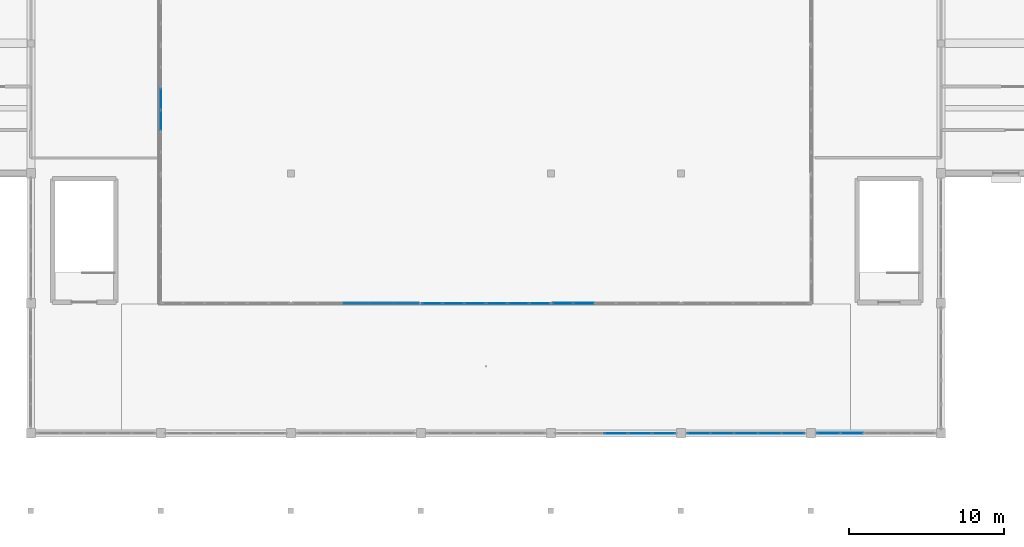
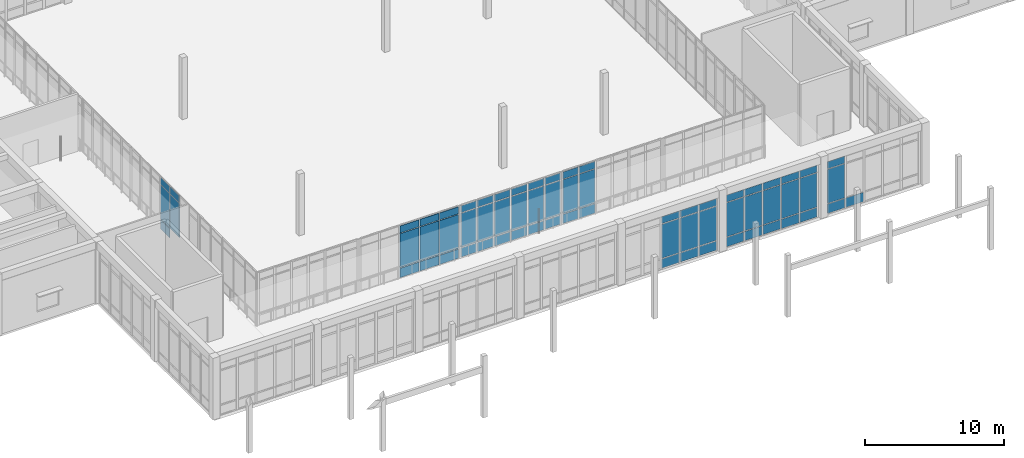
# One storey, part 59 of 157: 66 plates, 7 elements without a shape of their own.
"""IFC4 building model written with IfcOpenShell, lengths in metres."""

import ifcopenshell
import ifcopenshell.guid

model = None  # the IFC model being written
_history = None  # IfcOwnerHistory: only IFC2X3 demands one
_inside = {}  # id of a spatial element -> (the spatial element, [elements in it])
_under = {}  # id of a project, library or spatial element -> (it, [spatial elements below it])
_declared = {}  # id of a project -> (the project, [libraries it declares])
_typed = {}  # id of a type object -> (the type object, [elements of that type])
_made_of = {}  # id of a material, layer set ... -> (it, [elements and type objects made of it])


def new_model(schema):
    """Start an empty IFC model of exactly this schema.

    Asked for "IFC4X3", IfcOpenShell would pick the latest addendum, in which some entities
    have other attributes; the version numbers below select the first issue.
    IFC2X3 requires an IfcOwnerHistory on every rooted entity: one is made here for all.
    """
    global model, _history
    if schema == "IFC4X3":
        model = ifcopenshell.file(schema_version=(4, 3, 0, 0))
    else:
        model = ifcopenshell.file(schema=schema)
    _inside.clear()
    _under.clear()
    _declared.clear()
    _typed.clear()
    _made_of.clear()
    _history = None
    if model.schema == "IFC2X3":
        org = make("IfcOrganization", Name="unknown")
        user = make(
            "IfcPersonAndOrganization",
            ThePerson=make("IfcPerson", FamilyName="unknown"),
            TheOrganization=org,
        )
        app = make(
            "IfcApplication",
            ApplicationDeveloper=org,
            Version="unknown",
            ApplicationFullName="unknown",
            ApplicationIdentifier="unknown",
        )
        _history = make(
            "IfcOwnerHistory",
            OwningUser=user,
            OwningApplication=app,
            ChangeAction="ADDED",
            CreationDate=0,
        )
    return model


def make(cls, **values):
    """One entity of the class cls with the attributes given. An attribute that is None is left unset."""
    return model.create_entity(
        cls, **{name: value for name, value in values.items() if value is not None}
    )


def rooted(cls, **values):
    """An entity with a GlobalId (a new one), such as an element, a storey or a relation."""
    return make(cls, GlobalId=ifcopenshell.guid.new(), OwnerHistory=_history, **values)


def si_unit(unit_type, name, prefix=None):
    """IfcSIUnit, for example si_unit("LENGTHUNIT", "METRE", prefix="MILLI")."""
    return make("IfcSIUnit", UnitType=unit_type, Prefix=prefix, Name=name)


def assignment(units):
    """IfcUnitAssignment: the units of a project."""
    return None if units is None else make("IfcUnitAssignment", Units=units)


def point(xyz):
    """IfcCartesianPoint."""
    return None if xyz is None else make("IfcCartesianPoint", Coordinates=xyz)


def direction(xyz):
    """IfcDirection."""
    return None if xyz is None else make("IfcDirection", DirectionRatios=xyz)


def frame(location, z_axis=None, x_axis=None):
    """IfcAxis2Placement3D, a coordinate frame: its origin and axes. An axis left out is left unset."""
    return make(
        "IfcAxis2Placement3D",
        Location=point(location),
        Axis=direction(z_axis),
        RefDirection=direction(x_axis),
    )


def frame_2d(location, x_axis=None):
    """IfcAxis2Placement2D, a coordinate frame in the plane: its origin and x axis."""
    return make(
        "IfcAxis2Placement2D", Location=point(location), RefDirection=direction(x_axis)
    )


def origin():
    """The frame at (0, 0, 0) with its axes left unset."""
    return frame((0.0, 0.0, 0.0))


def origin_2d():
    """The frame at (0, 0) in the plane with its x axis left unset."""
    return frame_2d((0.0, 0.0))


def place(relative_to, where):
    """IfcLocalPlacement: puts the frame where relative to a parent placement (None: the world)."""
    return make(
        "IfcLocalPlacement", PlacementRelTo=relative_to, RelativePlacement=where
    )


def context(
    kind, dimensions, precision=None, world=None, true_north=None, identifier=None
):
    """IfcGeometricRepresentationContext, for example the 3D "Model" context."""
    return make(
        "IfcGeometricRepresentationContext",
        ContextIdentifier=identifier,
        ContextType=kind,
        CoordinateSpaceDimension=dimensions,
        Precision=precision,
        WorldCoordinateSystem=world,
        TrueNorth=true_north,
    )


def subcontext(parent, identifier, kind, view, scale=None):
    """IfcGeometricRepresentationSubContext, for example "Body" below "Model"."""
    return make(
        "IfcGeometricRepresentationSubContext",
        ContextIdentifier=identifier,
        ContextType=kind,
        ParentContext=parent,
        TargetScale=scale,
        TargetView=view,
    )


def project(units=None, contexts=None):
    """IfcProject with its units and contexts."""
    return rooted(
        "IfcProject",
        Name="project",
        RepresentationContexts=contexts,
        UnitsInContext=assignment(units),
    )


def spatial(cls, under=None, at=None, **own):
    """A site, building, storey or space (cls), placed at a placement, below another one or the project."""
    s = rooted(cls, ObjectPlacement=at, **own)
    if under is not None:
        _under.setdefault(under.id(), (under, []))[1].append(s)
    return s


def profile(cls, at=None, kind="AREA", **sizes):
    """A parametric profile (cls). Its sizes go by their IFC names, for example OverallWidth=200.0."""
    return make(cls, ProfileType=kind, Position=at, **sizes)


def rectangle(**sizes):
    """IfcRectangleProfileDef."""
    return profile("IfcRectangleProfileDef", **sizes)


def extrude(swept, where, along, depth):
    """IfcExtrudedAreaSolid: the profile swept, set in the frame where, extruded along a direction by depth."""
    return make(
        "IfcExtrudedAreaSolid",
        SweptArea=swept,
        Position=where,
        ExtrudedDirection=direction(along),
        Depth=depth,
    )


def shape(context_of_items, identifier, shape_type, items):
    """IfcShapeRepresentation: the items that make up one representation, for example the "Body"."""
    return make(
        "IfcShapeRepresentation",
        ContextOfItems=context_of_items,
        RepresentationIdentifier=identifier,
        RepresentationType=shape_type,
        Items=items,
    )


def material(Name=None, Category=None):
    """IfcMaterial."""
    return make("IfcMaterial", Name=Name, Category=Category)


def layer(
    of_material, thickness, ventilated=None, Name=None, Category=None, Priority=None
):
    """IfcMaterialLayer: one layer of a wall or slab, of a material (None: an air gap)."""
    return make(
        "IfcMaterialLayer",
        Material=of_material,
        LayerThickness=thickness,
        IsVentilated=ventilated,
        Name=Name,
        Category=Category,
        Priority=Priority,
    )


def layer_set(layers, Name=None):
    """IfcMaterialLayerSet."""
    return make("IfcMaterialLayerSet", MaterialLayers=layers, LayerSetName=Name)


def made_of(thing, what):
    """Note that an element or type object is made of a material, layer set ...; save() writes the relation."""
    if what is not None:
        _made_of.setdefault(what.id(), (what, []))[1].append(thing)
    return thing


def type_object(cls, material=None, **own):
    """A type object (cls), such as IfcWallType, which elements share."""
    return made_of(rooted(cls, **own), material)


def element(
    cls,
    number,
    at=None,
    inside=None,
    cuts=None,
    type_object=None,
    material=None,
    context=None,
    identifier="Body",
    shape_type=None,
    held_by="IfcProductDefinitionShape",
    body=None,
    shapes=None,
    **own,
):
    """One element of the class cls, such as IfcWall. Its Tag is "e" and its number.

    at: its placement. inside: the storey or other place that contains it. cuts: it is an
    opening in that element (IfcRelVoidsElement). A single representation is given by context,
    identifier, shape_type and body (its items); several are given by shapes. held_by: the class
    of the entity that holds the representations. save() writes the other relations.
    """
    e = rooted(cls, Tag="e%d" % number, ObjectPlacement=at, **own)
    if body is not None:
        shapes = [shape(context, identifier, shape_type, body)]
    if shapes is not None:
        e.Representation = make(held_by, Representations=shapes)
    if inside is not None:
        _inside.setdefault(inside.id(), (inside, []))[1].append(e)
    if cuts is not None:
        rooted(
            "IfcRelVoidsElement", RelatingBuildingElement=cuts, RelatedOpeningElement=e
        )
    if type_object is not None:
        _typed.setdefault(type_object.id(), (type_object, []))[1].append(e)
    return made_of(e, material)


def aggregate(whole, parts):
    """IfcRelAggregates: a whole, such as a stair, and the parts it consists of."""
    return rooted("IfcRelAggregates", RelatingObject=whole, RelatedObjects=parts)


def save(model, path):
    """Write the relations noted so far, then the file.

    IfcRelAggregates (storeys below a building ...), IfcRelContainedInSpatialStructure (elements
    in a storey), IfcRelDefinesByType, IfcRelAssociatesMaterial and IfcRelDeclares: one each for
    every whole, place, type object, material and project.
    """
    for whole, parts in _under.values():
        aggregate(whole, parts)
    for where, things in _inside.values():
        rooted(
            "IfcRelContainedInSpatialStructure",
            RelatedElements=things,
            RelatingStructure=where,
        )
    for kind, things in _typed.values():
        rooted("IfcRelDefinesByType", RelatedObjects=things, RelatingType=kind)
    for what, things in _made_of.values():
        rooted("IfcRelAssociatesMaterial", RelatedObjects=things, RelatingMaterial=what)
    for by, libraries in _declared.values():
        rooted("IfcRelDeclares", RelatingContext=by, RelatedDefinitions=libraries)
    model.write(path)


model = new_model("IFC4")

# Units and contexts
model_context = context("Model", 3, precision=1e-05, world=origin(), true_north=direction((0.0, 1.0)))
body_context = subcontext(model_context, "Body", "Model", "MODEL_VIEW")
ifc_project = project(units=[si_unit("LENGTHUNIT", "METRE"), si_unit("AREAUNIT", "SQUARE_METRE"), si_unit("VOLUMEUNIT", "CUBIC_METRE"), si_unit("PLANEANGLEUNIT", "RADIAN"), si_unit("MASSUNIT", "GRAM", prefix="KILO")], contexts=[model_context])

# Site, building, storey
site_placement = place(None, origin())
site = spatial("IfcSite", under=ifc_project, at=site_placement, CompositionType="ELEMENT")
building_placement = place(site_placement, origin())
building = spatial("IfcBuilding", under=site, at=building_placement, Name="Varncliffe General Hospital", CompositionType="ELEMENT")
storey_placement = place(building_placement, frame((0.0, 0.0, 5.39990234375)))
storey = spatial("IfcBuildingStorey", under=building, at=storey_placement, Name="L01", CompositionType="ELEMENT", Elevation=5.39990234375)

# Curtain wall, plates
ifc_material_1 = material(Name="Triple low-E argon insulated vision glazing", Category="glass")
curtain_wall_type_1 = type_object("IfcCurtainWallType", Name="Unitised Glazed Curtain Wall CW70 (7724x4640)", PredefinedType="USERDEFINED", material=ifc_material_1)
curtain_wall_1_placement = place(storey_placement, origin())
curtain_wall_1 = element("IfcCurtainWall", 1, at=curtain_wall_1_placement, inside=storey, type_object=curtain_wall_type_1, Name="L01 Glazed Curtain Wall CW70-46", ObjectType="GLAZED CURTAIN WALL", PredefinedType="USERDEFINED")
ifc_layer_1 = layer(ifc_material_1, 0.0439453125)
ifc_layer_set_1 = layer_set([ifc_layer_1], Name="Triple low-E argon insulated vision glazing")
plate_type_1 = type_object("IfcPlateType", Name="Curtain Wall Glazing Panel CP12 (44mm)", PredefinedType="CURTAIN_PANEL", material=ifc_layer_set_1)
plate_1_placement = place(storey_placement, frame((111.855224609375, 7.199951171875, 0.06005859375), z_axis=(0.0, 0.0, 1.0), x_axis=(-1.0, 0.0, 0.0)))
plate_1 = element("IfcPlate", 2, at=plate_1_placement, type_object=plate_type_1, Name="CW70 panel 4.1", PredefinedType="CURTAIN_PANEL", context=body_context, shape_type="SweptSolid", body=[
    extrude(rectangle(XDim=1.4697265625, YDim=0.0439453125, at=origin_2d()), origin(), (0.0, 0.0, 1.0), 0.81005859375),
])
plate_2_placement = place(storey_placement, frame((110.3291015625, 7.199951171875, 0.06005859375), z_axis=(0.0, 0.0, 1.0), x_axis=(-1.0, 0.0, 0.0)))
plate_2 = element("IfcPlate", 3, at=plate_2_placement, type_object=plate_type_1, Name="CW70 panel 5.1", PredefinedType="CURTAIN_PANEL", context=body_context, shape_type="SweptSolid", body=[
    extrude(rectangle(XDim=1.432373046875, YDim=0.0439453125, at=origin_2d()), origin(), (0.0, 0.0, 1.0), 0.81005859375),
])
plate_3_placement = place(storey_placement, frame((110.3291015625, 7.199951171875, 0.93017578125), z_axis=(0.0, 0.0, 1.0), x_axis=(-1.0, 0.0, 0.0)))
plate_3 = element("IfcPlate", 4, at=plate_3_placement, type_object=plate_type_1, Name="CW70 panel 5.2", PredefinedType="CURTAIN_PANEL", context=body_context, shape_type="SweptSolid", body=[
    extrude(rectangle(XDim=1.432373046875, YDim=0.0439453125, at=origin_2d()), origin(), (0.0, 0.0, 1.0), 2.97998046875),
])
plate_4_placement = place(storey_placement, frame((110.3291015625, 7.199951171875, 3.97021484375), z_axis=(0.0, 0.0, 1.0), x_axis=(-1.0, 0.0, 0.0)))
plate_4 = element("IfcPlate", 5, at=plate_4_placement, type_object=plate_type_1, Name="CW70 panel 5.3", PredefinedType="CURTAIN_PANEL", context=body_context, shape_type="SweptSolid", body=[
    extrude(rectangle(XDim=1.432373046875, YDim=0.0439453125, at=origin_2d()), origin(), (0.0, 0.0, 1.0), 0.610107421875),
])
aggregate(curtain_wall_1, [plate_1, plate_2, plate_3, plate_4])

curtain_wall_type_2 = type_object("IfcCurtainWallType", Name="Unitised Glazed Curtain Wall CW14 (8260x4640)", PredefinedType="USERDEFINED", material=ifc_material_1)
curtain_wall_2_placement = place(storey_placement, origin())
curtain_wall_2 = element("IfcCurtainWall", 6, at=curtain_wall_2_placement, inside=storey, type_object=curtain_wall_type_2, Name="L01 Glazed Curtain Wall CW14-109", ObjectType="GLAZED CURTAIN WALL", PredefinedType="USERDEFINED")
plate_5_placement = place(storey_placement, frame((67.199951171875, 28.799072265625, 0.06005859375), z_axis=(0.0, 0.0, 1.0), x_axis=(0.0, -1.0, 0.0)))
plate_5 = element("IfcPlate", 7, at=plate_5_placement, type_object=plate_type_1, Name="CW14 panel 3.1", PredefinedType="CURTAIN_PANEL", context=body_context, shape_type="SweptSolid", body=[
    extrude(rectangle(XDim=1.3017578125, YDim=0.0439453125, at=origin_2d()), origin(), (0.0, 0.0, 1.0), 0.81005859375),
])
plate_6_placement = place(storey_placement, frame((67.199951171875, 28.799072265625, 0.93017578125), z_axis=(0.0, 0.0, 1.0), x_axis=(0.0, -1.0, 0.0)))
plate_6 = element("IfcPlate", 8, at=plate_6_placement, type_object=plate_type_1, Name="CW14 panel 3.2", PredefinedType="CURTAIN_PANEL", context=body_context, shape_type="SweptSolid", body=[
    extrude(rectangle(XDim=1.3017578125, YDim=0.0439453125, at=origin_2d()), origin(), (0.0, 0.0, 1.0), 2.97998046875),
])
plate_7_placement = place(storey_placement, frame((67.199951171875, 28.799072265625, 3.97021484375), z_axis=(0.0, 0.0, 1.0), x_axis=(0.0, -1.0, 0.0)))
plate_7 = element("IfcPlate", 9, at=plate_7_placement, type_object=plate_type_1, Name="CW14 panel 3.3", PredefinedType="CURTAIN_PANEL", context=body_context, shape_type="SweptSolid", body=[
    extrude(rectangle(XDim=1.3017578125, YDim=0.0439453125, at=origin_2d()), origin(), (0.0, 0.0, 1.0), 0.610107421875),
])
plate_8_placement = place(storey_placement, frame((67.199951171875, 27.422119140625, 0.93017578125), z_axis=(0.0, 0.0, 1.0), x_axis=(0.0, -1.0, 0.0)))
plate_8 = element("IfcPlate", 10, at=plate_8_placement, type_object=plate_type_1, Name="CW14 panel 4.2", PredefinedType="CURTAIN_PANEL", context=body_context, shape_type="SweptSolid", body=[
    extrude(rectangle(XDim=1.3017578125, YDim=0.0439453125, at=origin_2d()), origin(), (0.0, 0.0, 1.0), 2.97998046875),
])
plate_9_placement = place(storey_placement, frame((67.199951171875, 27.422119140625, 3.97021484375), z_axis=(0.0, 0.0, 1.0), x_axis=(0.0, -1.0, 0.0)))
plate_9 = element("IfcPlate", 11, at=plate_9_placement, type_object=plate_type_1, Name="CW14 panel 4.3", PredefinedType="CURTAIN_PANEL", context=body_context, shape_type="SweptSolid", body=[
    extrude(rectangle(XDim=1.3017578125, YDim=0.0439453125, at=origin_2d()), origin(), (0.0, 0.0, 1.0), 0.610107421875),
])
aggregate(curtain_wall_2, [plate_5, plate_6, plate_7, plate_8, plate_9])

curtain_wall_type_3 = type_object("IfcCurtainWallType", Name="Unitised Glazed Curtain Wall CW85 (7804x4640)", PredefinedType="USERDEFINED", material=ifc_material_1)
curtain_wall_3_placement = place(storey_placement, origin())
curtain_wall_3 = element("IfcCurtainWall", 12, at=curtain_wall_3_placement, inside=storey, type_object=curtain_wall_type_3, Name="L01 Glazed Curtain Wall CW85-48", ObjectType="GLAZED CURTAIN WALL", PredefinedType="USERDEFINED")
ifc_layer_2 = layer(ifc_material_1, 0.035888671875)
ifc_layer_set_2 = layer_set([ifc_layer_2], Name="Triple low-E argon insulated vision glazing")
plate_type_2 = type_object("IfcPlateType", Name="Curtain Wall Glazing Panel CP27 (36mm)", PredefinedType="CURTAIN_PANEL", material=ifc_layer_set_2)
plate_10_placement = place(storey_placement, frame((99.702880859375, 7.199951171875, 0.06494140625), z_axis=(0.0, 0.0, 1.0), x_axis=(-1.0, 0.0, 0.0)))
plate_10 = element("IfcPlate", 13, at=plate_10_placement, type_object=plate_type_2, Name="CW85 panel 1.1", PredefinedType="CURTAIN_PANEL", context=body_context, shape_type="SweptSolid", body=[
    extrude(rectangle(XDim=1.4482421875, YDim=0.035888671875, at=origin_2d()), origin(), (0.0, 0.0, 1.0), 0.802490234375),
])
plate_11_placement = place(storey_placement, frame((99.702880859375, 7.199951171875, 0.9326171875), z_axis=(0.0, 0.0, 1.0), x_axis=(-1.0, 0.0, 0.0)))
plate_11 = element("IfcPlate", 14, at=plate_11_placement, type_object=plate_type_2, Name="CW85 panel 1.2", PredefinedType="CURTAIN_PANEL", context=body_context, shape_type="SweptSolid", body=[
    extrude(rectangle(XDim=1.4482421875, YDim=0.035888671875, at=origin_2d()), origin(), (0.0, 0.0, 1.0), 2.97509765625),
])
plate_12_placement = place(storey_placement, frame((99.702880859375, 7.199951171875, 3.97265625), z_axis=(0.0, 0.0, 1.0), x_axis=(-1.0, 0.0, 0.0)))
plate_12 = element("IfcPlate", 15, at=plate_12_placement, type_object=plate_type_2, Name="CW85 panel 1.3", PredefinedType="CURTAIN_PANEL", context=body_context, shape_type="SweptSolid", body=[
    extrude(rectangle(XDim=1.4482421875, YDim=0.035888671875, at=origin_2d()), origin(), (0.0, 0.0, 1.0), 0.6025390625),
])
plate_13_placement = place(storey_placement, frame((98.160888671875, 7.199951171875, 0.06494140625), z_axis=(0.0, 0.0, 1.0), x_axis=(-1.0, 0.0, 0.0)))
plate_13 = element("IfcPlate", 16, at=plate_13_placement, type_object=plate_type_2, Name="CW85 panel 2.1", PredefinedType="CURTAIN_PANEL", context=body_context, shape_type="SweptSolid", body=[
    extrude(rectangle(XDim=1.48583984375, YDim=0.035888671875, at=origin_2d()), origin(), (0.0, 0.0, 1.0), 0.802490234375),
])
plate_14_placement = place(storey_placement, frame((98.160888671875, 7.199951171875, 0.9326171875), z_axis=(0.0, 0.0, 1.0), x_axis=(-1.0, 0.0, 0.0)))
plate_14 = element("IfcPlate", 17, at=plate_14_placement, type_object=plate_type_2, Name="CW85 panel 2.2", PredefinedType="CURTAIN_PANEL", context=body_context, shape_type="SweptSolid", body=[
    extrude(rectangle(XDim=1.48583984375, YDim=0.035888671875, at=origin_2d()), origin(), (0.0, 0.0, 1.0), 2.97509765625),
])
plate_15_placement = place(storey_placement, frame((98.160888671875, 7.199951171875, 3.97265625), z_axis=(0.0, 0.0, 1.0), x_axis=(-1.0, 0.0, 0.0)))
plate_15 = element("IfcPlate", 18, at=plate_15_placement, type_object=plate_type_2, Name="CW85 panel 2.3", PredefinedType="CURTAIN_PANEL", context=body_context, shape_type="SweptSolid", body=[
    extrude(rectangle(XDim=1.48583984375, YDim=0.035888671875, at=origin_2d()), origin(), (0.0, 0.0, 1.0), 0.6025390625),
])
plate_16_placement = place(storey_placement, frame((96.60009765625, 7.199951171875, 0.06494140625), z_axis=(0.0, 0.0, 1.0), x_axis=(-1.0, 0.0, 0.0)))
plate_16 = element("IfcPlate", 19, at=plate_16_placement, type_object=plate_type_2, Name="CW85 panel 3.1", PredefinedType="CURTAIN_PANEL", context=body_context, shape_type="SweptSolid", body=[
    extrude(rectangle(XDim=1.48583984375, YDim=0.035888671875, at=origin_2d()), origin(), (0.0, 0.0, 1.0), 0.802490234375),
])
plate_17_placement = place(storey_placement, frame((96.60009765625, 7.199951171875, 0.9326171875), z_axis=(0.0, 0.0, 1.0), x_axis=(-1.0, 0.0, 0.0)))
plate_17 = element("IfcPlate", 20, at=plate_17_placement, type_object=plate_type_2, Name="CW85 panel 3.2", PredefinedType="CURTAIN_PANEL", context=body_context, shape_type="SweptSolid", body=[
    extrude(rectangle(XDim=1.48583984375, YDim=0.035888671875, at=origin_2d()), origin(), (0.0, 0.0, 1.0), 2.97509765625),
])
plate_18_placement = place(storey_placement, frame((96.60009765625, 7.199951171875, 3.97265625), z_axis=(0.0, 0.0, 1.0), x_axis=(-1.0, 0.0, 0.0)))
plate_18 = element("IfcPlate", 21, at=plate_18_placement, type_object=plate_type_2, Name="CW85 panel 3.3", PredefinedType="CURTAIN_PANEL", context=body_context, shape_type="SweptSolid", body=[
    extrude(rectangle(XDim=1.48583984375, YDim=0.035888671875, at=origin_2d()), origin(), (0.0, 0.0, 1.0), 0.6025390625),
])
aggregate(curtain_wall_3, [plate_10, plate_11, plate_12, plate_13, plate_14, plate_15, plate_16, plate_17, plate_18])

curtain_wall_type_4 = type_object("IfcCurtainWallType", Name="Unitised Glazed Curtain Wall CW56 (8240x4640)", PredefinedType="USERDEFINED", material=ifc_material_1)
curtain_wall_4_placement = place(storey_placement, origin())
curtain_wall_4 = element("IfcCurtainWall", 22, at=curtain_wall_4_placement, inside=storey, type_object=curtain_wall_type_4, Name="L01 Glazed Curtain Wall CW56-92", ObjectType="GLAZED CURTAIN WALL", PredefinedType="USERDEFINED")
ifc_material_2 = material(Name="Insulated ceramic-fritted spandrel glazing panel", Category="glass")
ifc_layer_3 = layer(ifc_material_2, 0.06396484375)
ifc_layer_set_3 = layer_set([ifc_layer_3], Name="Insulated ceramic-fritted spandrel glazing panel")
plate_type_3 = type_object("IfcPlateType", Name="Curtain Wall Glazing Panel CP41 (64mm)", PredefinedType="CURTAIN_PANEL", material=ifc_layer_set_3)
plate_19_placement = place(storey_placement, frame((79.800048828125, 15.60009765625, 0.06005859375), z_axis=(0.0, 0.0, 1.0), x_axis=(1.0, 0.0, 0.0)))
plate_19 = element("IfcPlate", 23, at=plate_19_placement, type_object=plate_type_3, Name="CW56 panel 3.1", PredefinedType="CURTAIN_PANEL", context=body_context, shape_type="SweptSolid", body=[
    extrude(rectangle(XDim=1.5830078125, YDim=0.06396484375, at=origin_2d()), origin(), (0.0, 0.0, 1.0), 0.81005859375),
])
plate_20_placement = place(storey_placement, frame((79.800048828125, 15.60009765625, 0.93017578125), z_axis=(0.0, 0.0, 1.0), x_axis=(1.0, 0.0, 0.0)))
plate_20 = element("IfcPlate", 24, at=plate_20_placement, type_object=plate_type_3, Name="CW56 panel 3.2", PredefinedType="CURTAIN_PANEL", context=body_context, shape_type="SweptSolid", body=[
    extrude(rectangle(XDim=1.5830078125, YDim=0.06396484375, at=origin_2d()), origin(), (0.0, 0.0, 1.0), 2.97998046875),
])
plate_21_placement = place(storey_placement, frame((79.800048828125, 15.60009765625, 3.97021484375), z_axis=(0.0, 0.0, 1.0), x_axis=(1.0, 0.0, 0.0)))
plate_21 = element("IfcPlate", 25, at=plate_21_placement, type_object=plate_type_3, Name="CW56 panel 3.3", PredefinedType="CURTAIN_PANEL", context=body_context, shape_type="SweptSolid", body=[
    extrude(rectangle(XDim=1.5830078125, YDim=0.06396484375, at=origin_2d()), origin(), (0.0, 0.0, 1.0), 0.610107421875),
])
plate_22_placement = place(storey_placement, frame((81.447998046875, 15.60009765625, 0.06005859375), z_axis=(0.0, 0.0, 1.0), x_axis=(1.0, 0.0, 0.0)))
plate_22 = element("IfcPlate", 26, at=plate_22_placement, type_object=plate_type_3, Name="CW56 panel 4.1", PredefinedType="CURTAIN_PANEL", context=body_context, shape_type="SweptSolid", body=[
    extrude(rectangle(XDim=1.5830078125, YDim=0.06396484375, at=origin_2d()), origin(), (0.0, 0.0, 1.0), 0.81005859375),
])
plate_23_placement = place(storey_placement, frame((81.447998046875, 15.60009765625, 0.93017578125), z_axis=(0.0, 0.0, 1.0), x_axis=(1.0, 0.0, 0.0)))
plate_23 = element("IfcPlate", 27, at=plate_23_placement, type_object=plate_type_3, Name="CW56 panel 4.2", PredefinedType="CURTAIN_PANEL", context=body_context, shape_type="SweptSolid", body=[
    extrude(rectangle(XDim=1.5830078125, YDim=0.06396484375, at=origin_2d()), origin(), (0.0, 0.0, 1.0), 2.97998046875),
])
plate_24_placement = place(storey_placement, frame((81.447998046875, 15.60009765625, 3.97021484375), z_axis=(0.0, 0.0, 1.0), x_axis=(1.0, 0.0, 0.0)))
plate_24 = element("IfcPlate", 28, at=plate_24_placement, type_object=plate_type_3, Name="CW56 panel 4.3", PredefinedType="CURTAIN_PANEL", context=body_context, shape_type="SweptSolid", body=[
    extrude(rectangle(XDim=1.5830078125, YDim=0.06396484375, at=origin_2d()), origin(), (0.0, 0.0, 1.0), 0.610107421875),
])
plate_25_placement = place(storey_placement, frame((83.079833984375, 15.60009765625, 0.06005859375), z_axis=(0.0, 0.0, 1.0), x_axis=(1.0, 0.0, 0.0)))
plate_25 = element("IfcPlate", 29, at=plate_25_placement, type_object=plate_type_3, Name="CW56 panel 5.1", PredefinedType="CURTAIN_PANEL", context=body_context, shape_type="SweptSolid", body=[
    extrude(rectangle(XDim=1.550537109375, YDim=0.06396484375, at=origin_2d()), origin(), (0.0, 0.0, 1.0), 0.81005859375),
])
plate_26_placement = place(storey_placement, frame((83.079833984375, 15.60009765625, 0.93017578125), z_axis=(0.0, 0.0, 1.0), x_axis=(1.0, 0.0, 0.0)))
plate_26 = element("IfcPlate", 30, at=plate_26_placement, type_object=plate_type_3, Name="CW56 panel 5.2", PredefinedType="CURTAIN_PANEL", context=body_context, shape_type="SweptSolid", body=[
    extrude(rectangle(XDim=1.550537109375, YDim=0.06396484375, at=origin_2d()), origin(), (0.0, 0.0, 1.0), 2.97998046875),
])
plate_27_placement = place(storey_placement, frame((83.079833984375, 15.60009765625, 3.97021484375), z_axis=(0.0, 0.0, 1.0), x_axis=(1.0, 0.0, 0.0)))
plate_27 = element("IfcPlate", 31, at=plate_27_placement, type_object=plate_type_3, Name="CW56 panel 5.3", PredefinedType="CURTAIN_PANEL", context=body_context, shape_type="SweptSolid", body=[
    extrude(rectangle(XDim=1.550537109375, YDim=0.06396484375, at=origin_2d()), origin(), (0.0, 0.0, 1.0), 0.610107421875),
])
aggregate(curtain_wall_4, [plate_19, plate_20, plate_21, plate_22, plate_23, plate_24, plate_25, plate_26, plate_27])

curtain_wall_type_5 = type_object("IfcCurtainWallType", Name="Unitised Glazed Curtain Wall CW74 (8320x4640)", PredefinedType="USERDEFINED", material=ifc_material_1)
curtain_wall_5_placement = place(storey_placement, origin())
curtain_wall_5 = element("IfcCurtainWall", 32, at=curtain_wall_5_placement, inside=storey, type_object=curtain_wall_type_5, Name="L01 Glazed Curtain Wall CW74-94", ObjectType="GLAZED CURTAIN WALL", PredefinedType="USERDEFINED")
ifc_layer_4 = layer(ifc_material_2, 0.052001953125)
ifc_layer_set_4 = layer_set([ifc_layer_4], Name="Insulated ceramic-fritted spandrel glazing panel")
plate_type_4 = type_object("IfcPlateType", Name="Curtain Wall Glazing Panel CP46 (52mm)", PredefinedType="CURTAIN_PANEL", material=ifc_layer_set_4)
plate_28_placement = place(storey_placement, frame((93.152099609375, 15.60009765625, 0.06005859375), z_axis=(0.0, 0.0, 1.0), x_axis=(1.0, 0.0, 0.0)))
plate_28 = element("IfcPlate", 33, at=plate_28_placement, type_object=plate_type_4, Name="CW74 panel 1.1", PredefinedType="CURTAIN_PANEL", context=body_context, shape_type="SweptSolid", body=[
    extrude(rectangle(XDim=1.274169921875, YDim=0.052001953125, at=origin_2d()), origin(), (0.0, 0.0, 1.0), 0.81005859375),
])
plate_29_placement = place(storey_placement, frame((93.152099609375, 15.60009765625, 0.93017578125), z_axis=(0.0, 0.0, 1.0), x_axis=(1.0, 0.0, 0.0)))
plate_29 = element("IfcPlate", 34, at=plate_29_placement, type_object=plate_type_4, Name="CW74 panel 1.2", PredefinedType="CURTAIN_PANEL", context=body_context, shape_type="SweptSolid", body=[
    extrude(rectangle(XDim=1.274169921875, YDim=0.052001953125, at=origin_2d()), origin(), (0.0, 0.0, 1.0), 2.97998046875),
])
plate_30_placement = place(storey_placement, frame((93.152099609375, 15.60009765625, 3.97021484375), z_axis=(0.0, 0.0, 1.0), x_axis=(1.0, 0.0, 0.0)))
plate_30 = element("IfcPlate", 35, at=plate_30_placement, type_object=plate_type_4, Name="CW74 panel 1.3", PredefinedType="CURTAIN_PANEL", context=body_context, shape_type="SweptSolid", body=[
    extrude(rectangle(XDim=1.274169921875, YDim=0.052001953125, at=origin_2d()), origin(), (0.0, 0.0, 1.0), 0.610107421875),
])
plate_31_placement = place(storey_placement, frame((94.52001953125, 15.60009765625, 0.06005859375), z_axis=(0.0, 0.0, 1.0), x_axis=(1.0, 0.0, 0.0)))
plate_31 = element("IfcPlate", 36, at=plate_31_placement, type_object=plate_type_4, Name="CW74 panel 2.1", PredefinedType="CURTAIN_PANEL", context=body_context, shape_type="SweptSolid", body=[
    extrude(rectangle(XDim=1.311767578125, YDim=0.052001953125, at=origin_2d()), origin(), (0.0, 0.0, 1.0), 0.81005859375),
])
plate_32_placement = place(storey_placement, frame((94.52001953125, 15.60009765625, 0.93017578125), z_axis=(0.0, 0.0, 1.0), x_axis=(1.0, 0.0, 0.0)))
plate_32 = element("IfcPlate", 37, at=plate_32_placement, type_object=plate_type_4, Name="CW74 panel 2.2", PredefinedType="CURTAIN_PANEL", context=body_context, shape_type="SweptSolid", body=[
    extrude(rectangle(XDim=1.311767578125, YDim=0.052001953125, at=origin_2d()), origin(), (0.0, 0.0, 1.0), 2.97998046875),
])
plate_33_placement = place(storey_placement, frame((94.52001953125, 15.60009765625, 3.97021484375), z_axis=(0.0, 0.0, 1.0), x_axis=(1.0, 0.0, 0.0)))
plate_33 = element("IfcPlate", 38, at=plate_33_placement, type_object=plate_type_4, Name="CW74 panel 2.3", PredefinedType="CURTAIN_PANEL", context=body_context, shape_type="SweptSolid", body=[
    extrude(rectangle(XDim=1.311767578125, YDim=0.052001953125, at=origin_2d()), origin(), (0.0, 0.0, 1.0), 0.610107421875),
])
aggregate(curtain_wall_5, [plate_28, plate_29, plate_30, plate_31, plate_32, plate_33])

curtain_wall_type_6 = type_object("IfcCurtainWallType", Name="Unitised Glazed Curtain Wall CW27 (7644x4640)", PredefinedType="USERDEFINED", material=ifc_material_1)
curtain_wall_6_placement = place(storey_placement, origin())
curtain_wall_6 = element("IfcCurtainWall", 39, at=curtain_wall_6_placement, inside=storey, type_object=curtain_wall_type_6, Name="L01 Glazed Curtain Wall CW27-47", ObjectType="GLAZED CURTAIN WALL", PredefinedType="USERDEFINED")
ifc_layer_5 = layer(ifc_material_1, 0.028076171875)
ifc_layer_set_5 = layer_set([ifc_layer_5], Name="Triple low-E argon insulated vision glazing")
plate_type_5 = type_object("IfcPlateType", Name="Curtain Wall Glazing Panel CP48 (28mm)", PredefinedType="CURTAIN_PANEL", material=ifc_layer_set_5)
plate_34_placement = place(storey_placement, frame((108.041259765625, 7.199951171875, 0.06005859375), z_axis=(0.0, 0.0, 1.0), x_axis=(-1.0, 0.0, 0.0)))
plate_34 = element("IfcPlate", 40, at=plate_34_placement, type_object=plate_type_5, Name="CW27 panel 1.1", PredefinedType="CURTAIN_PANEL", context=body_context, shape_type="SweptSolid", body=[
    extrude(rectangle(XDim=1.431396484375, YDim=0.028076171875, at=origin_2d()), origin(), (0.0, 0.0, 1.0), 0.81005859375),
])
plate_35_placement = place(storey_placement, frame((108.041259765625, 7.199951171875, 0.93017578125), z_axis=(0.0, 0.0, 1.0), x_axis=(-1.0, 0.0, 0.0)))
plate_35 = element("IfcPlate", 41, at=plate_35_placement, type_object=plate_type_5, Name="CW27 panel 1.2", PredefinedType="CURTAIN_PANEL", context=body_context, shape_type="SweptSolid", body=[
    extrude(rectangle(XDim=1.431396484375, YDim=0.028076171875, at=origin_2d()), origin(), (0.0, 0.0, 1.0), 2.97998046875),
])
plate_36_placement = place(storey_placement, frame((108.041259765625, 7.199951171875, 3.97021484375), z_axis=(0.0, 0.0, 1.0), x_axis=(-1.0, 0.0, 0.0)))
plate_36 = element("IfcPlate", 42, at=plate_36_placement, type_object=plate_type_5, Name="CW27 panel 1.3", PredefinedType="CURTAIN_PANEL", context=body_context, shape_type="SweptSolid", body=[
    extrude(rectangle(XDim=1.431396484375, YDim=0.028076171875, at=origin_2d()), origin(), (0.0, 0.0, 1.0), 0.610107421875),
])
plate_37_placement = place(storey_placement, frame((106.52880859375, 7.199951171875, 0.06005859375), z_axis=(0.0, 0.0, 1.0), x_axis=(-1.0, 0.0, 0.0)))
plate_37 = element("IfcPlate", 43, at=plate_37_placement, type_object=plate_type_5, Name="CW27 panel 2.1", PredefinedType="CURTAIN_PANEL", context=body_context, shape_type="SweptSolid", body=[
    extrude(rectangle(XDim=1.4638671875, YDim=0.028076171875, at=origin_2d()), origin(), (0.0, 0.0, 1.0), 0.81005859375),
])
plate_38_placement = place(storey_placement, frame((106.52880859375, 7.199951171875, 0.93017578125), z_axis=(0.0, 0.0, 1.0), x_axis=(-1.0, 0.0, 0.0)))
plate_38 = element("IfcPlate", 44, at=plate_38_placement, type_object=plate_type_5, Name="CW27 panel 2.2", PredefinedType="CURTAIN_PANEL", context=body_context, shape_type="SweptSolid", body=[
    extrude(rectangle(XDim=1.4638671875, YDim=0.028076171875, at=origin_2d()), origin(), (0.0, 0.0, 1.0), 2.97998046875),
])
plate_39_placement = place(storey_placement, frame((106.52880859375, 7.199951171875, 3.97021484375), z_axis=(0.0, 0.0, 1.0), x_axis=(-1.0, 0.0, 0.0)))
plate_39 = element("IfcPlate", 45, at=plate_39_placement, type_object=plate_type_5, Name="CW27 panel 2.3", PredefinedType="CURTAIN_PANEL", context=body_context, shape_type="SweptSolid", body=[
    extrude(rectangle(XDim=1.4638671875, YDim=0.028076171875, at=origin_2d()), origin(), (0.0, 0.0, 1.0), 0.610107421875),
])
plate_40_placement = place(storey_placement, frame((105.0, 7.199951171875, 0.06005859375), z_axis=(0.0, 0.0, 1.0), x_axis=(-1.0, 0.0, 0.0)))
plate_40 = element("IfcPlate", 46, at=plate_40_placement, type_object=plate_type_5, Name="CW27 panel 3.1", PredefinedType="CURTAIN_PANEL", context=body_context, shape_type="SweptSolid", body=[
    extrude(rectangle(XDim=1.4638671875, YDim=0.028076171875, at=origin_2d()), origin(), (0.0, 0.0, 1.0), 0.81005859375),
])
plate_41_placement = place(storey_placement, frame((105.0, 7.199951171875, 0.93017578125), z_axis=(0.0, 0.0, 1.0), x_axis=(-1.0, 0.0, 0.0)))
plate_41 = element("IfcPlate", 47, at=plate_41_placement, type_object=plate_type_5, Name="CW27 panel 3.2", PredefinedType="CURTAIN_PANEL", context=body_context, shape_type="SweptSolid", body=[
    extrude(rectangle(XDim=1.4638671875, YDim=0.028076171875, at=origin_2d()), origin(), (0.0, 0.0, 1.0), 2.97998046875),
])
plate_42_placement = place(storey_placement, frame((105.0, 7.199951171875, 3.97021484375), z_axis=(0.0, 0.0, 1.0), x_axis=(-1.0, 0.0, 0.0)))
plate_42 = element("IfcPlate", 48, at=plate_42_placement, type_object=plate_type_5, Name="CW27 panel 3.3", PredefinedType="CURTAIN_PANEL", context=body_context, shape_type="SweptSolid", body=[
    extrude(rectangle(XDim=1.4638671875, YDim=0.028076171875, at=origin_2d()), origin(), (0.0, 0.0, 1.0), 0.610107421875),
])
plate_43_placement = place(storey_placement, frame((103.47119140625, 7.199951171875, 0.06005859375), z_axis=(0.0, 0.0, 1.0), x_axis=(-1.0, 0.0, 0.0)))
plate_43 = element("IfcPlate", 49, at=plate_43_placement, type_object=plate_type_5, Name="CW27 panel 4.1", PredefinedType="CURTAIN_PANEL", context=body_context, shape_type="SweptSolid", body=[
    extrude(rectangle(XDim=1.4638671875, YDim=0.028076171875, at=origin_2d()), origin(), (0.0, 0.0, 1.0), 0.81005859375),
])
plate_44_placement = place(storey_placement, frame((103.47119140625, 7.199951171875, 0.93017578125), z_axis=(0.0, 0.0, 1.0), x_axis=(-1.0, 0.0, 0.0)))
plate_44 = element("IfcPlate", 50, at=plate_44_placement, type_object=plate_type_5, Name="CW27 panel 4.2", PredefinedType="CURTAIN_PANEL", context=body_context, shape_type="SweptSolid", body=[
    extrude(rectangle(XDim=1.4638671875, YDim=0.028076171875, at=origin_2d()), origin(), (0.0, 0.0, 1.0), 2.97998046875),
])
plate_45_placement = place(storey_placement, frame((103.47119140625, 7.199951171875, 3.97021484375), z_axis=(0.0, 0.0, 1.0), x_axis=(-1.0, 0.0, 0.0)))
plate_45 = element("IfcPlate", 51, at=plate_45_placement, type_object=plate_type_5, Name="CW27 panel 4.3", PredefinedType="CURTAIN_PANEL", context=body_context, shape_type="SweptSolid", body=[
    extrude(rectangle(XDim=1.4638671875, YDim=0.028076171875, at=origin_2d()), origin(), (0.0, 0.0, 1.0), 0.610107421875),
])
plate_46_placement = place(storey_placement, frame((101.958740234375, 7.199951171875, 0.06005859375), z_axis=(0.0, 0.0, 1.0), x_axis=(-1.0, 0.0, 0.0)))
plate_46 = element("IfcPlate", 52, at=plate_46_placement, type_object=plate_type_5, Name="CW27 panel 5.1", PredefinedType="CURTAIN_PANEL", context=body_context, shape_type="SweptSolid", body=[
    extrude(rectangle(XDim=1.431396484375, YDim=0.028076171875, at=origin_2d()), origin(), (0.0, 0.0, 1.0), 0.81005859375),
])
plate_47_placement = place(storey_placement, frame((101.958740234375, 7.199951171875, 0.93017578125), z_axis=(0.0, 0.0, 1.0), x_axis=(-1.0, 0.0, 0.0)))
plate_47 = element("IfcPlate", 53, at=plate_47_placement, type_object=plate_type_5, Name="CW27 panel 5.2", PredefinedType="CURTAIN_PANEL", context=body_context, shape_type="SweptSolid", body=[
    extrude(rectangle(XDim=1.431396484375, YDim=0.028076171875, at=origin_2d()), origin(), (0.0, 0.0, 1.0), 2.97998046875),
])
plate_48_placement = place(storey_placement, frame((101.958740234375, 7.199951171875, 3.97021484375), z_axis=(0.0, 0.0, 1.0), x_axis=(-1.0, 0.0, 0.0)))
plate_48 = element("IfcPlate", 54, at=plate_48_placement, type_object=plate_type_5, Name="CW27 panel 5.3", PredefinedType="CURTAIN_PANEL", context=body_context, shape_type="SweptSolid", body=[
    extrude(rectangle(XDim=1.431396484375, YDim=0.028076171875, at=origin_2d()), origin(), (0.0, 0.0, 1.0), 0.610107421875),
])
aggregate(curtain_wall_6, [plate_34, plate_35, plate_36, plate_37, plate_38, plate_39, plate_40, plate_41, plate_42, plate_43, plate_44, plate_45, plate_46, plate_47, plate_48])

curtain_wall_type_7 = type_object("IfcCurtainWallType", Name="Unitised Glazed Curtain Wall CW89 (8400x4640)", PredefinedType="USERDEFINED", material=ifc_material_1)
curtain_wall_7_placement = place(storey_placement, origin())
curtain_wall_7 = element("IfcCurtainWall", 55, at=curtain_wall_7_placement, inside=storey, type_object=curtain_wall_type_7, Name="L01 Glazed Curtain Wall CW89-93", ObjectType="GLAZED CURTAIN WALL", PredefinedType="USERDEFINED")
plate_49_placement = place(storey_placement, frame((84.71875, 15.60009765625, 0.06494140625), z_axis=(0.0, 0.0, 1.0), x_axis=(1.0, 0.0, 0.0)))
plate_49 = element("IfcPlate", 56, at=plate_49_placement, type_object=plate_type_5, Name="CW89 panel 1.1", PredefinedType="CURTAIN_PANEL", context=body_context, shape_type="SweptSolid", body=[
    extrude(rectangle(XDim=1.28759765625, YDim=0.028076171875, at=origin_2d()), origin(), (0.0, 0.0, 1.0), 0.802490234375),
])
plate_50_placement = place(storey_placement, frame((84.71875, 15.60009765625, 0.9326171875), z_axis=(0.0, 0.0, 1.0), x_axis=(1.0, 0.0, 0.0)))
plate_50 = element("IfcPlate", 57, at=plate_50_placement, type_object=plate_type_5, Name="CW89 panel 1.2", PredefinedType="CURTAIN_PANEL", context=body_context, shape_type="SweptSolid", body=[
    extrude(rectangle(XDim=1.28759765625, YDim=0.028076171875, at=origin_2d()), origin(), (0.0, 0.0, 1.0), 2.97509765625),
])
plate_51_placement = place(storey_placement, frame((84.71875, 15.60009765625, 3.97265625), z_axis=(0.0, 0.0, 1.0), x_axis=(1.0, 0.0, 0.0)))
plate_51 = element("IfcPlate", 58, at=plate_51_placement, type_object=plate_type_5, Name="CW89 panel 1.3", PredefinedType="CURTAIN_PANEL", context=body_context, shape_type="SweptSolid", body=[
    extrude(rectangle(XDim=1.28759765625, YDim=0.028076171875, at=origin_2d()), origin(), (0.0, 0.0, 1.0), 0.6025390625),
])
plate_52_placement = place(storey_placement, frame((86.10009765625, 15.60009765625, 0.06494140625), z_axis=(0.0, 0.0, 1.0), x_axis=(1.0, 0.0, 0.0)))
plate_52 = element("IfcPlate", 59, at=plate_52_placement, type_object=plate_type_5, Name="CW89 panel 2.1", PredefinedType="CURTAIN_PANEL", context=body_context, shape_type="SweptSolid", body=[
    extrude(rectangle(XDim=1.324951171875, YDim=0.028076171875, at=origin_2d()), origin(), (0.0, 0.0, 1.0), 0.802490234375),
])
plate_53_placement = place(storey_placement, frame((86.10009765625, 15.60009765625, 0.9326171875), z_axis=(0.0, 0.0, 1.0), x_axis=(1.0, 0.0, 0.0)))
plate_53 = element("IfcPlate", 60, at=plate_53_placement, type_object=plate_type_5, Name="CW89 panel 2.2", PredefinedType="CURTAIN_PANEL", context=body_context, shape_type="SweptSolid", body=[
    extrude(rectangle(XDim=1.324951171875, YDim=0.028076171875, at=origin_2d()), origin(), (0.0, 0.0, 1.0), 2.97509765625),
])
plate_54_placement = place(storey_placement, frame((86.10009765625, 15.60009765625, 3.97265625), z_axis=(0.0, 0.0, 1.0), x_axis=(1.0, 0.0, 0.0)))
plate_54 = element("IfcPlate", 61, at=plate_54_placement, type_object=plate_type_5, Name="CW89 panel 2.3", PredefinedType="CURTAIN_PANEL", context=body_context, shape_type="SweptSolid", body=[
    extrude(rectangle(XDim=1.324951171875, YDim=0.028076171875, at=origin_2d()), origin(), (0.0, 0.0, 1.0), 0.6025390625),
])
plate_55_placement = place(storey_placement, frame((87.5, 15.60009765625, 0.06494140625), z_axis=(0.0, 0.0, 1.0), x_axis=(1.0, 0.0, 0.0)))
plate_55 = element("IfcPlate", 62, at=plate_55_placement, type_object=plate_type_5, Name="CW89 panel 3.1", PredefinedType="CURTAIN_PANEL", context=body_context, shape_type="SweptSolid", body=[
    extrude(rectangle(XDim=1.324951171875, YDim=0.028076171875, at=origin_2d()), origin(), (0.0, 0.0, 1.0), 0.802490234375),
])
plate_56_placement = place(storey_placement, frame((87.5, 15.60009765625, 0.9326171875), z_axis=(0.0, 0.0, 1.0), x_axis=(1.0, 0.0, 0.0)))
plate_56 = element("IfcPlate", 63, at=plate_56_placement, type_object=plate_type_5, Name="CW89 panel 3.2", PredefinedType="CURTAIN_PANEL", context=body_context, shape_type="SweptSolid", body=[
    extrude(rectangle(XDim=1.324951171875, YDim=0.028076171875, at=origin_2d()), origin(), (0.0, 0.0, 1.0), 2.97509765625),
])
plate_57_placement = place(storey_placement, frame((87.5, 15.60009765625, 3.97265625), z_axis=(0.0, 0.0, 1.0), x_axis=(1.0, 0.0, 0.0)))
plate_57 = element("IfcPlate", 64, at=plate_57_placement, type_object=plate_type_5, Name="CW89 panel 3.3", PredefinedType="CURTAIN_PANEL", context=body_context, shape_type="SweptSolid", body=[
    extrude(rectangle(XDim=1.324951171875, YDim=0.028076171875, at=origin_2d()), origin(), (0.0, 0.0, 1.0), 0.6025390625),
])
plate_58_placement = place(storey_placement, frame((88.89990234375, 15.60009765625, 0.06494140625), z_axis=(0.0, 0.0, 1.0), x_axis=(1.0, 0.0, 0.0)))
plate_58 = element("IfcPlate", 65, at=plate_58_placement, type_object=plate_type_5, Name="CW89 panel 4.1", PredefinedType="CURTAIN_PANEL", context=body_context, shape_type="SweptSolid", body=[
    extrude(rectangle(XDim=1.324951171875, YDim=0.028076171875, at=origin_2d()), origin(), (0.0, 0.0, 1.0), 0.802490234375),
])
plate_59_placement = place(storey_placement, frame((88.89990234375, 15.60009765625, 0.9326171875), z_axis=(0.0, 0.0, 1.0), x_axis=(1.0, 0.0, 0.0)))
plate_59 = element("IfcPlate", 66, at=plate_59_placement, type_object=plate_type_5, Name="CW89 panel 4.2", PredefinedType="CURTAIN_PANEL", context=body_context, shape_type="SweptSolid", body=[
    extrude(rectangle(XDim=1.324951171875, YDim=0.028076171875, at=origin_2d()), origin(), (0.0, 0.0, 1.0), 2.97509765625),
])
plate_60_placement = place(storey_placement, frame((88.89990234375, 15.60009765625, 3.97265625), z_axis=(0.0, 0.0, 1.0), x_axis=(1.0, 0.0, 0.0)))
plate_60 = element("IfcPlate", 67, at=plate_60_placement, type_object=plate_type_5, Name="CW89 panel 4.3", PredefinedType="CURTAIN_PANEL", context=body_context, shape_type="SweptSolid", body=[
    extrude(rectangle(XDim=1.324951171875, YDim=0.028076171875, at=origin_2d()), origin(), (0.0, 0.0, 1.0), 0.6025390625),
])
plate_61_placement = place(storey_placement, frame((90.300048828125, 15.60009765625, 0.06494140625), z_axis=(0.0, 0.0, 1.0), x_axis=(1.0, 0.0, 0.0)))
plate_61 = element("IfcPlate", 68, at=plate_61_placement, type_object=plate_type_5, Name="CW89 panel 5.1", PredefinedType="CURTAIN_PANEL", context=body_context, shape_type="SweptSolid", body=[
    extrude(rectangle(XDim=1.324951171875, YDim=0.028076171875, at=origin_2d()), origin(), (0.0, 0.0, 1.0), 0.802490234375),
])
plate_62_placement = place(storey_placement, frame((90.300048828125, 15.60009765625, 0.9326171875), z_axis=(0.0, 0.0, 1.0), x_axis=(1.0, 0.0, 0.0)))
plate_62 = element("IfcPlate", 69, at=plate_62_placement, type_object=plate_type_5, Name="CW89 panel 5.2", PredefinedType="CURTAIN_PANEL", context=body_context, shape_type="SweptSolid", body=[
    extrude(rectangle(XDim=1.324951171875, YDim=0.028076171875, at=origin_2d()), origin(), (0.0, 0.0, 1.0), 2.97509765625),
])
plate_63_placement = place(storey_placement, frame((90.300048828125, 15.60009765625, 3.97265625), z_axis=(0.0, 0.0, 1.0), x_axis=(1.0, 0.0, 0.0)))
plate_63 = element("IfcPlate", 70, at=plate_63_placement, type_object=plate_type_5, Name="CW89 panel 5.3", PredefinedType="CURTAIN_PANEL", context=body_context, shape_type="SweptSolid", body=[
    extrude(rectangle(XDim=1.324951171875, YDim=0.028076171875, at=origin_2d()), origin(), (0.0, 0.0, 1.0), 0.6025390625),
])
plate_64_placement = place(storey_placement, frame((91.68115234375, 15.60009765625, 0.06494140625), z_axis=(0.0, 0.0, 1.0), x_axis=(1.0, 0.0, 0.0)))
plate_64 = element("IfcPlate", 71, at=plate_64_placement, type_object=plate_type_5, Name="CW89 panel 6.1", PredefinedType="CURTAIN_PANEL", context=body_context, shape_type="SweptSolid", body=[
    extrude(rectangle(XDim=1.28759765625, YDim=0.028076171875, at=origin_2d()), origin(), (0.0, 0.0, 1.0), 0.802490234375),
])
plate_65_placement = place(storey_placement, frame((91.68115234375, 15.60009765625, 0.9326171875), z_axis=(0.0, 0.0, 1.0), x_axis=(1.0, 0.0, 0.0)))
plate_65 = element("IfcPlate", 72, at=plate_65_placement, type_object=plate_type_5, Name="CW89 panel 6.2", PredefinedType="CURTAIN_PANEL", context=body_context, shape_type="SweptSolid", body=[
    extrude(rectangle(XDim=1.28759765625, YDim=0.028076171875, at=origin_2d()), origin(), (0.0, 0.0, 1.0), 2.97509765625),
])
plate_66_placement = place(storey_placement, frame((91.68115234375, 15.60009765625, 3.97265625), z_axis=(0.0, 0.0, 1.0), x_axis=(1.0, 0.0, 0.0)))
plate_66 = element("IfcPlate", 73, at=plate_66_placement, type_object=plate_type_5, Name="CW89 panel 6.3", PredefinedType="CURTAIN_PANEL", context=body_context, shape_type="SweptSolid", body=[
    extrude(rectangle(XDim=1.28759765625, YDim=0.028076171875, at=origin_2d()), origin(), (0.0, 0.0, 1.0), 0.6025390625),
])
aggregate(curtain_wall_7, [plate_49, plate_50, plate_51, plate_52, plate_53, plate_54, plate_55, plate_56, plate_57, plate_58, plate_59, plate_60, plate_61, plate_62, plate_63, plate_64, plate_65, plate_66])

save(model, "model.ifc")
